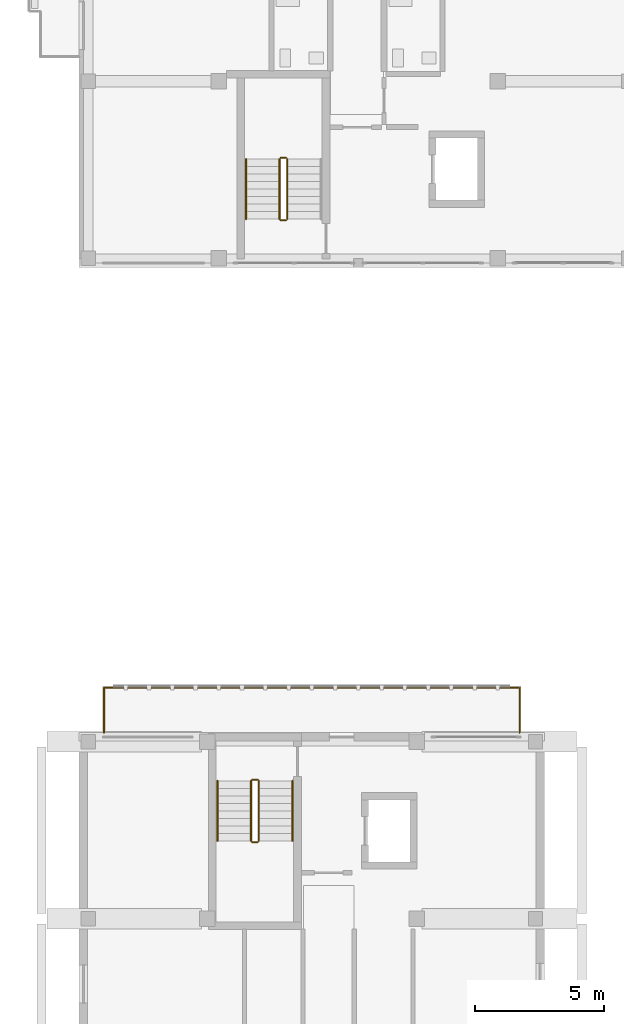
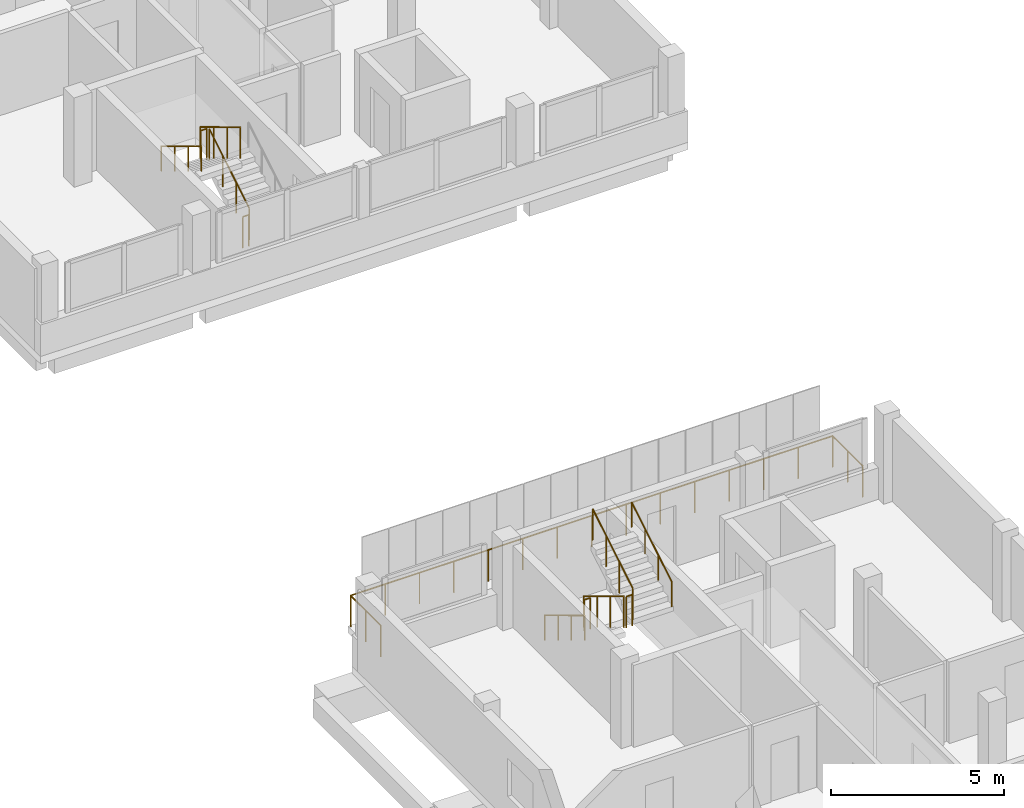
# One storey, part 37 of 41: 12 railings.
"""IFC4 building model written with IfcOpenShell, lengths in metres."""

from ifc_helpers import new_model, si_unit, derived_unit, direction, frame, origin, origin_2d, place, context, subcontext, project, spatial, circle, extrude, material, type_object, element, save


model = new_model("IFC4")

# Units and contexts
model_context = context("Model", 3, precision=1e-05, world=origin(), true_north=direction((0.0, 1.0)))
body_context = subcontext(model_context, "Body", "Model", "MODEL_VIEW")
ifc_project = project(units=[si_unit("LENGTHUNIT", "METRE"), si_unit("AREAUNIT", "SQUARE_METRE"), si_unit("VOLUMEUNIT", "CUBIC_METRE"), si_unit("PLANEANGLEUNIT", "RADIAN"), si_unit("MASSUNIT", "GRAM", prefix="KILO"), derived_unit("THERMALTRANSMITTANCEUNIT", [(si_unit("MASSUNIT", "GRAM", prefix="KILO"), 1), (si_unit("TIMEUNIT", "SECOND"), -3), (si_unit("THERMODYNAMICTEMPERATUREUNIT", "KELVIN"), -1)])], contexts=[model_context])

# Site, building, storey
site_placement = place(None, origin())
site = spatial("IfcSite", under=ifc_project, at=site_placement, CompositionType="ELEMENT")
building_placement = place(site_placement, origin())
building = spatial("IfcBuilding", under=site, at=building_placement, Name="Ochrekiln Boulevard Commons", CompositionType="ELEMENT")
storey_placement = place(building_placement, frame((0.0, 0.0, 21.52490234375)))
storey = spatial("IfcBuildingStorey", under=building, at=storey_placement, Name="L06", CompositionType="ELEMENT", Elevation=21.52490234375)

# Railings
ifc_material_1 = material(Name="Bronze-anodized extruded aluminium 6063-T6", Category="aluminium")
railing_type_1 = type_object("IfcRailingType", Name="RLG-BAL-1120", PredefinedType="BALUSTRADE", material=ifc_material_1)
railing_1_placement = place(storey_placement, frame((152.159912109375, 50.39990234375, 0.0)))
element("IfcRailing", 1, at=railing_1_placement, inside=storey, type_object=railing_type_1, Name="Block C L06 Screened Balcony Guard", PredefinedType="BALUSTRADE", context=body_context, shape_type="SweptSolid", body=[
    extrude(circle(Radius=0.02392578125, at=origin_2d()), frame((0.0, 0.0, 1.09619140625), z_axis=(0.0, 1.0, 0.0), x_axis=(-1.0, 0.0, 0.0)), (0.0, 0.0, 1.0), 1.739990234375),
    extrude(circle(Radius=0.02392578125, at=origin_2d()), frame((0.0, 1.739990234375, 1.09619140625), z_axis=(1.0, 0.0, 0.0), x_axis=(0.0, 1.0, 0.0)), (0.0, 0.0, 1.0), 16.080078125),
    extrude(circle(Radius=0.02392578125, at=origin_2d()), frame((16.080078125, 1.739990234375, 1.09619140625), z_axis=(0.0, -1.0, 0.0), x_axis=(1.0, 0.0, 0.0)), (0.0, 0.0, 1.0), 1.739990234375),
    extrude(circle(Radius=0.02099609375, at=origin_2d()), origin(), (0.0, 0.0, 1.0), 1.072021484375),
    extrude(circle(Radius=0.02099609375, at=origin_2d()), frame((0.0, 0.8701171875, 0.0)), (0.0, 0.0, 1.0), 1.072021484375),
    extrude(circle(Radius=0.02099609375, at=origin_2d()), frame((0.0, 1.739990234375, 0.0)), (0.0, 0.0, 1.0), 1.072021484375),
    extrude(circle(Radius=0.02099609375, at=origin_2d()), frame((1.148681640625, 1.739990234375, 0.0)), (0.0, 0.0, 1.0), 1.072021484375),
    extrude(circle(Radius=0.02099609375, at=origin_2d()), frame((2.297119140625, 1.739990234375, 0.0)), (0.0, 0.0, 1.0), 1.072021484375),
    extrude(circle(Radius=0.02099609375, at=origin_2d()), frame((3.44580078125, 1.739990234375, 0.0)), (0.0, 0.0, 1.0), 1.072021484375),
    extrude(circle(Radius=0.02099609375, at=origin_2d()), frame((4.59423828125, 1.739990234375, 0.0)), (0.0, 0.0, 1.0), 1.072021484375),
    extrude(circle(Radius=0.02099609375, at=origin_2d()), frame((5.742919921875, 1.739990234375, 0.0)), (0.0, 0.0, 1.0), 1.072021484375),
    extrude(circle(Radius=0.02099609375, at=origin_2d()), frame((6.891357421875, 1.739990234375, 0.0)), (0.0, 0.0, 1.0), 1.072021484375),
    extrude(circle(Radius=0.02099609375, at=origin_2d()), frame((8.0400390625, 1.739990234375, 0.0)), (0.0, 0.0, 1.0), 1.072021484375),
    extrude(circle(Radius=0.02099609375, at=origin_2d()), frame((9.188720703125, 1.739990234375, 0.0)), (0.0, 0.0, 1.0), 1.072021484375),
    extrude(circle(Radius=0.02099609375, at=origin_2d()), frame((10.337158203125, 1.739990234375, 0.0)), (0.0, 0.0, 1.0), 1.072021484375),
    extrude(circle(Radius=0.02099609375, at=origin_2d()), frame((11.48583984375, 1.739990234375, 0.0)), (0.0, 0.0, 1.0), 1.072021484375),
    extrude(circle(Radius=0.02099609375, at=origin_2d()), frame((12.63427734375, 1.739990234375, 0.0)), (0.0, 0.0, 1.0), 1.072021484375),
    extrude(circle(Radius=0.02099609375, at=origin_2d()), frame((13.782958984375, 1.739990234375, 0.0)), (0.0, 0.0, 1.0), 1.072021484375),
    extrude(circle(Radius=0.02099609375, at=origin_2d()), frame((14.931396484375, 1.739990234375, 0.0)), (0.0, 0.0, 1.0), 1.072021484375),
    extrude(circle(Radius=0.02099609375, at=origin_2d()), frame((16.080078125, 1.739990234375, 0.0)), (0.0, 0.0, 1.0), 1.072021484375),
    extrude(circle(Radius=0.02099609375, at=origin_2d()), frame((16.080078125, 0.8701171875, 0.0)), (0.0, 0.0, 1.0), 1.072021484375),
    extrude(circle(Radius=0.02099609375, at=origin_2d()), frame((16.080078125, 0.0, 0.0)), (0.0, 0.0, 1.0), 1.072021484375),
])
ifc_material_2 = material(Name="Brushed stainless steel 316 tubular railing", Category="steel")
railing_type_2 = type_object("IfcRailingType", Name="RLG-HDR-900", PredefinedType="HANDRAIL", material=ifc_material_2)
for number, where, name in (
    (2, (157.64990234375, 72.590087890625, 1.75), "L06 ST-B1 stair handrail 2"),
    (3, (156.550048828125, 48.530029296875, 0.175048828125), "L06 ST-C2 stair handrail 1"),
):
    element("IfcRailing", number, at=place(storey_placement, frame(where)), inside=storey, type_object=railing_type_2, Name=name, PredefinedType="HANDRAIL", context=body_context, shape_type="SweptSolid", body=[
        extrude(circle(Radius=0.02392578125, at=origin_2d()), frame((0.0, 0.0, 0.8759765625), z_axis=(0.0, -0.856170481923, 0.516693435108), x_axis=(1.0, 0.0, 0.0)), (0.0, 0.0, 1.0), 2.709716796875),
        extrude(circle(Radius=0.02099609375, at=origin_2d()), origin(), (0.0, 0.0, 1.0), 0.851806640625),
        extrude(circle(Radius=0.02099609375, at=origin_2d()), frame((0.0, -0.7734375, 0.466796875)), (0.0, 0.0, 1.0), 0.851806640625),
        extrude(circle(Radius=0.02099609375, at=origin_2d()), frame((0.0, -1.546630859375, 0.933349609375)), (0.0, 0.0, 1.0), 0.851806640625),
        extrude(circle(Radius=0.02099609375, at=origin_2d()), frame((0.0, -2.320068359375, 1.400146484375)), (0.0, 0.0, 1.0), 0.851806640625),
    ])
railing_2_placement = place(storey_placement, frame((159.449951171875, 46.2099609375, 1.75)))
element("IfcRailing", 4, at=railing_2_placement, inside=storey, type_object=railing_type_2, Name="L06 ST-C2 stair handrail 2", PredefinedType="HANDRAIL", context=body_context, shape_type="SweptSolid", body=[
    extrude(circle(Radius=0.02392578125, at=origin_2d()), frame((0.0, 0.0, 0.8759765625), z_axis=(0.0, 0.856170481923, 0.516693435108), x_axis=(-1.0, 0.0, 0.0)), (0.0, 0.0, 1.0), 2.709716796875),
    extrude(circle(Radius=0.02099609375, at=origin_2d()), origin(), (0.0, 0.0, 1.0), 0.851806640625),
    extrude(circle(Radius=0.02099609375, at=origin_2d()), frame((0.0, 0.7734375, 0.466796875)), (0.0, 0.0, 1.0), 0.851806640625),
    extrude(circle(Radius=0.02099609375, at=origin_2d()), frame((0.0, 1.546630859375, 0.933349609375)), (0.0, 0.0, 1.0), 0.851806640625),
    extrude(circle(Radius=0.02099609375, at=origin_2d()), frame((0.0, 2.320068359375, 1.400146484375)), (0.0, 0.0, 1.0), 0.851806640625),
])
railing_type_3 = type_object("IfcRailingType", Name="RLG-STR-1120", PredefinedType="BALUSTRADE", material=ifc_material_2)
railing_3_placement = place(storey_placement, frame((159.25, 70.27001953125, 0.175048828125)))
element("IfcRailing", 5, at=railing_3_placement, inside=storey, type_object=railing_type_3, Name="L06 ST-B1 stair guard 1", PredefinedType="BALUSTRADE", context=body_context, shape_type="SweptSolid", body=[
    extrude(circle(Radius=0.02392578125, at=origin_2d()), frame((0.0, 0.0, 1.09619140625), z_axis=(0.0, 0.856170481923, 0.516693435108), x_axis=(-1.0, 0.0, 0.0)), (0.0, 0.0, 1.0), 2.709716796875),
    extrude(circle(Radius=0.02099609375, at=origin_2d()), origin(), (0.0, 0.0, 1.0), 1.072021484375),
    extrude(circle(Radius=0.02099609375, at=origin_2d()), frame((0.0, 0.7734375, 0.466796875)), (0.0, 0.0, 1.0), 1.072021484375),
    extrude(circle(Radius=0.02099609375, at=origin_2d()), frame((0.0, 1.546630859375, 0.933349609375)), (0.0, 0.0, 1.0), 1.072021484375),
    extrude(circle(Radius=0.02099609375, at=origin_2d()), frame((0.0, 2.320068359375, 1.400146484375)), (0.0, 0.0, 1.0), 1.072021484375),
])
railing_4_placement = place(storey_placement, frame((159.199951171875, 72.639892578125, 1.5751953125)))
element("IfcRailing", 6, at=railing_4_placement, inside=storey, type_object=railing_type_3, Name="L06 ST-B1 stair guard 2", PredefinedType="BALUSTRADE", context=body_context, shape_type="SweptSolid", body=[
    extrude(circle(Radius=0.02392578125, at=origin_2d()), frame((0.0, 0.0, 1.09619140625), z_axis=(-1.0, 0.0, 0.0), x_axis=(0.0, -1.0, 0.0)), (0.0, 0.0, 1.0), 0.199951171875),
    extrude(circle(Radius=0.02099609375, at=origin_2d()), origin(), (0.0, 0.0, 1.0), 1.072021484375),
    extrude(circle(Radius=0.02099609375, at=origin_2d()), frame((-0.199951171875, 0.0, 0.0)), (0.0, 0.0, 1.0), 1.072021484375),
])
railing_5_placement = place(storey_placement, frame((158.949951171875, 72.590087890625, 1.75)))
element("IfcRailing", 7, at=railing_5_placement, inside=storey, type_object=railing_type_3, Name="L06 ST-B1 stair guard 3", PredefinedType="BALUSTRADE", context=body_context, shape_type="SweptSolid", body=[
    extrude(circle(Radius=0.02392578125, at=origin_2d()), frame((0.0, 0.0, 1.09619140625), z_axis=(0.0, -0.856170481923, 0.516693435108), x_axis=(1.0, 0.0, 0.0)), (0.0, 0.0, 1.0), 2.709716796875),
    extrude(circle(Radius=0.02099609375, at=origin_2d()), origin(), (0.0, 0.0, 1.0), 1.072021484375),
    extrude(circle(Radius=0.02099609375, at=origin_2d()), frame((0.0, -0.7734375, 0.466796875)), (0.0, 0.0, 1.0), 1.072021484375),
    extrude(circle(Radius=0.02099609375, at=origin_2d()), frame((0.0, -1.546630859375, 0.933349609375)), (0.0, 0.0, 1.0), 1.072021484375),
    extrude(circle(Radius=0.02099609375, at=origin_2d()), frame((0.0, -2.320068359375, 1.400146484375)), (0.0, 0.0, 1.0), 1.072021484375),
])
railing_6_placement = place(storey_placement, frame((159.199951171875, 70.219970703125, 0.0)))
element("IfcRailing", 8, at=railing_6_placement, inside=storey, type_object=railing_type_3, Name="L06 ST-B1 stair guard 4", PredefinedType="BALUSTRADE", context=body_context, shape_type="SweptSolid", body=[
    extrude(circle(Radius=0.02392578125, at=origin_2d()), frame((0.0, 0.0, 1.09619140625), z_axis=(-1.0, 0.0, 0.0), x_axis=(0.0, -1.0, 0.0)), (0.0, 0.0, 1.0), 0.199951171875),
    extrude(circle(Radius=0.02099609375, at=origin_2d()), origin(), (0.0, 0.0, 1.0), 1.072021484375),
    extrude(circle(Radius=0.02099609375, at=origin_2d()), frame((-0.199951171875, 0.0, 0.0)), (0.0, 0.0, 1.0), 1.072021484375),
])
railing_7_placement = place(storey_placement, frame((157.85009765625, 48.530029296875, 0.175048828125)))
element("IfcRailing", 9, at=railing_7_placement, inside=storey, type_object=railing_type_3, Name="L06 ST-C2 stair guard 1", PredefinedType="BALUSTRADE", context=body_context, shape_type="SweptSolid", body=[
    extrude(circle(Radius=0.02392578125, at=origin_2d()), frame((0.0, 0.0, 1.09619140625), z_axis=(0.0, -0.856170481923, 0.516693435108), x_axis=(1.0, 0.0, 0.0)), (0.0, 0.0, 1.0), 2.709716796875),
    extrude(circle(Radius=0.02099609375, at=origin_2d()), origin(), (0.0, 0.0, 1.0), 1.072021484375),
    extrude(circle(Radius=0.02099609375, at=origin_2d()), frame((0.0, -0.7734375, 0.466796875)), (0.0, 0.0, 1.0), 1.072021484375),
    extrude(circle(Radius=0.02099609375, at=origin_2d()), frame((0.0, -1.546630859375, 0.933349609375)), (0.0, 0.0, 1.0), 1.072021484375),
    extrude(circle(Radius=0.02099609375, at=origin_2d()), frame((0.0, -2.320068359375, 1.400146484375)), (0.0, 0.0, 1.0), 1.072021484375),
])
railing_8_placement = place(storey_placement, frame((157.89990234375, 46.159912109375, 1.5751953125)))
element("IfcRailing", 10, at=railing_8_placement, inside=storey, type_object=railing_type_3, Name="L06 ST-C2 stair guard 2", PredefinedType="BALUSTRADE", context=body_context, shape_type="SweptSolid", body=[
    extrude(circle(Radius=0.02392578125, at=origin_2d()), frame((0.0, 0.0, 1.09619140625), z_axis=(1.0, 0.0, 0.0), x_axis=(0.0, 1.0, 0.0)), (0.0, 0.0, 1.0), 0.2001953125),
    extrude(circle(Radius=0.02099609375, at=origin_2d()), origin(), (0.0, 0.0, 1.0), 1.072021484375),
    extrude(circle(Radius=0.02099609375, at=origin_2d()), frame((0.2001953125, 0.0, 0.0)), (0.0, 0.0, 1.0), 1.072021484375),
])
railing_9_placement = place(storey_placement, frame((158.14990234375, 46.2099609375, 1.75)))
element("IfcRailing", 11, at=railing_9_placement, inside=storey, type_object=railing_type_3, Name="L06 ST-C2 stair guard 3", PredefinedType="BALUSTRADE", context=body_context, shape_type="SweptSolid", body=[
    extrude(circle(Radius=0.02392578125, at=origin_2d()), frame((0.0, 0.0, 1.09619140625), z_axis=(0.0, 0.856170481923, 0.516693435108), x_axis=(-1.0, 0.0, 0.0)), (0.0, 0.0, 1.0), 2.709716796875),
    extrude(circle(Radius=0.02099609375, at=origin_2d()), origin(), (0.0, 0.0, 1.0), 1.072021484375),
    extrude(circle(Radius=0.02099609375, at=origin_2d()), frame((0.0, 0.7734375, 0.466796875)), (0.0, 0.0, 1.0), 1.072021484375),
    extrude(circle(Radius=0.02099609375, at=origin_2d()), frame((0.0, 1.546630859375, 0.933349609375)), (0.0, 0.0, 1.0), 1.072021484375),
    extrude(circle(Radius=0.02099609375, at=origin_2d()), frame((0.0, 2.320068359375, 1.400146484375)), (0.0, 0.0, 1.0), 1.072021484375),
])
railing_10_placement = place(storey_placement, frame((157.89990234375, 48.580078125, 0.0)))
element("IfcRailing", 12, at=railing_10_placement, inside=storey, type_object=railing_type_3, Name="L06 ST-C2 stair guard 4", PredefinedType="BALUSTRADE", context=body_context, shape_type="SweptSolid", body=[
    extrude(circle(Radius=0.02392578125, at=origin_2d()), frame((0.0, 0.0, 1.09619140625), z_axis=(1.0, 0.0, 0.0), x_axis=(0.0, 1.0, 0.0)), (0.0, 0.0, 1.0), 0.2001953125),
    extrude(circle(Radius=0.02099609375, at=origin_2d()), origin(), (0.0, 0.0, 1.0), 1.072021484375),
    extrude(circle(Radius=0.02099609375, at=origin_2d()), frame((0.2001953125, 0.0, 0.0)), (0.0, 0.0, 1.0), 1.072021484375),
])

save(model, "model.ifc")
